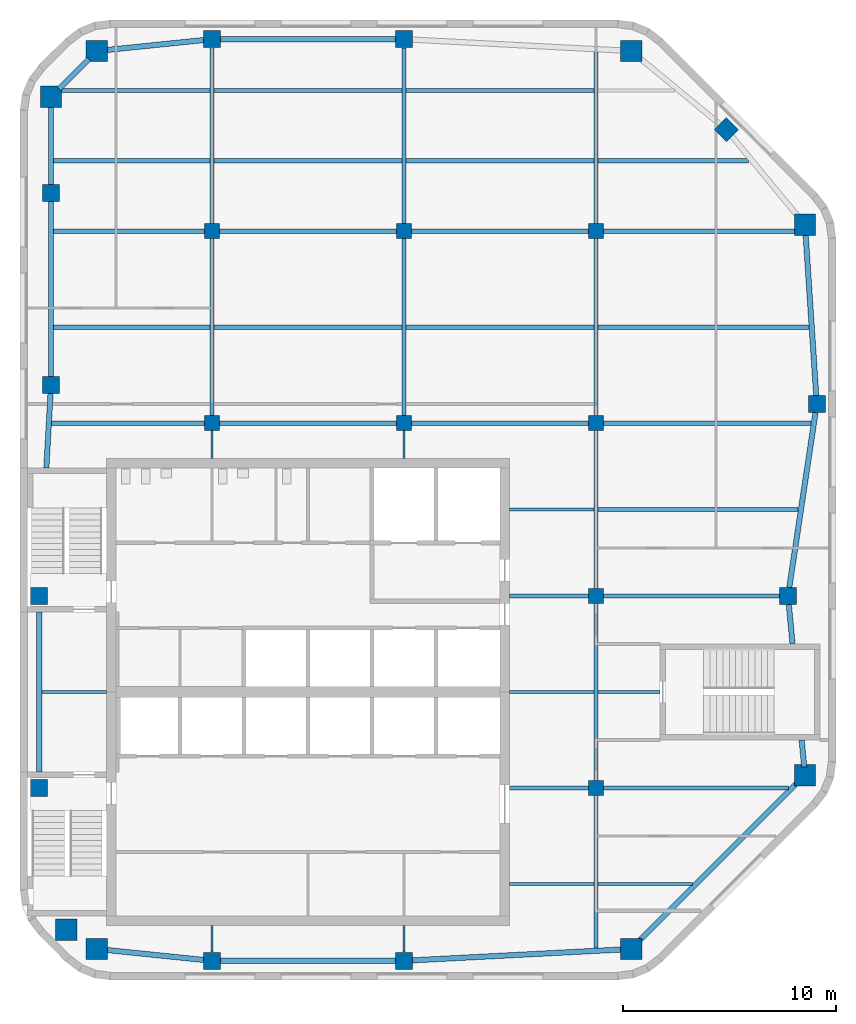
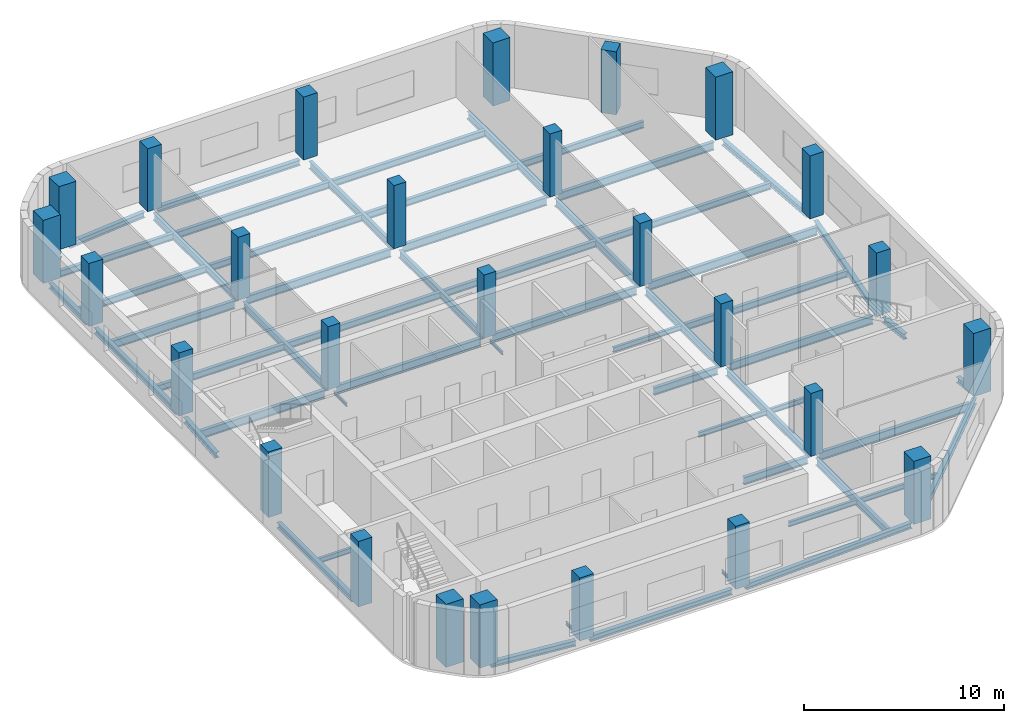
# One storey, part 1 of 7: 58 beams, 27 columns.
"""IFC4 building model written with IfcOpenShell, lengths in metres."""

from ifc_helpers import new_model, si_unit, direction, frame, origin, origin_2d, place, context, subcontext, project, spatial, rectangle, i_section, extrude, material, material_profile, profile_set, type_object, element, save


model = new_model("IFC4")

# Units and contexts
model_context = context("Model", 3, precision=1e-05, world=origin(), true_north=direction((0.0, 1.0)))
body_context = subcontext(model_context, "Body", "Model", "MODEL_VIEW")
ifc_project = project(units=[si_unit("LENGTHUNIT", "METRE"), si_unit("AREAUNIT", "SQUARE_METRE"), si_unit("VOLUMEUNIT", "CUBIC_METRE"), si_unit("PLANEANGLEUNIT", "RADIAN"), si_unit("MASSUNIT", "GRAM", prefix="KILO")], contexts=[model_context])

# Site, building, storey
site_placement = place(None, origin())
site = spatial("IfcSite", under=ifc_project, at=site_placement, CompositionType="ELEMENT")
building_placement = place(site_placement, origin())
building = spatial("IfcBuilding", under=site, at=building_placement, Name="Cinnabar Reach Civic Tower", CompositionType="ELEMENT")
storey_placement = place(building_placement, frame((0.0, 0.0, 271.0)))
storey = spatial("IfcBuildingStorey", under=building, at=storey_placement, Name="L65", CompositionType="ELEMENT", Elevation=271.0)

# Columns
ifc_material_1 = material(Name="Concrete C70", Category="concrete")
ifc_material_profile_1 = material_profile(ifc_material_1, rectangle(XDim=1.0, YDim=1.0, at=origin_2d()), Name="RC1000")
ifc_profile_set_1 = profile_set([ifc_material_profile_1], Name="Concrete C70")
column_type_1 = type_object("IfcColumnType", Name="RC1000 column R 240", PredefinedType="COLUMN", material=ifc_profile_set_1)
for number, where, z_axis, x_axis, name in (
    (1, (3.6019, 19.4531, 0.0), (0.0, 0.0, 1.0), (1.0, 0.0, 0.0), "Column T1-Z5-CC0"),
    (2, (28.6481, 19.4531, 0.0), (0.0, 0.0, 1.0), (1.0, 0.0, 0.0), "Column T1-Z5-CC1"),
    (3, (36.7969, 27.6019, 0.0), (0.0, 0.0, 1.0), (1.0, 0.0, 0.0), "Column T1-Z5-CC2"),
    (4, (36.7969, 53.3981, 0.0), (0.0, 0.0, 1.0), (1.0, 0.0, 0.0), "Column T1-Z5-CC3"),
    (5, (28.6481, 61.5469, 0.0), (0.0, 0.0, 1.0), (1.0, 0.0, 0.0), "Column T1-Z5-CC4"),
    (6, (3.6019, 61.5469, 0.0), (0.0, 0.0, 1.0), (1.0, 0.0, 0.0), "Column T1-Z5-CC5"),
    (7, (1.4531, 59.3981, 0.0), (0.0, 0.0, 1.0), (1.0, 0.0, 0.0), "Column T1-Z5-CC6"),
    (8, (2.1631, 20.35, 0.0), (0.0, 0.0, 1.0), (1.0, 0.0, 0.0), "Column T1-Z5-CC7"),
):
    element("IfcColumn", number, at=place(storey_placement, frame(where, z_axis=z_axis, x_axis=x_axis)), inside=storey, type_object=column_type_1, Name=name, PredefinedType="COLUMN", context=body_context, shape_type="SweptSolid", body=[
        extrude(rectangle(XDim=1.0, YDim=1.0, at=origin_2d()), origin(), (0.0, 0.0, 1.0), 3.85),
    ])
ifc_material_2 = material(Name="Concrete C60", Category="concrete")
ifc_material_profile_2 = material_profile(ifc_material_2, rectangle(XDim=0.7, YDim=0.7, at=origin_2d()), Name="RC700")
ifc_profile_set_2 = profile_set([ifc_material_profile_2], Name="Concrete C60")
column_type_2 = type_object("IfcColumnType", Name="RC700 column R 240", PredefinedType="COLUMN", material=ifc_profile_set_2)
for number, where, z_axis, x_axis, name in (
    (9, (9.0, 44.1, 0.0), (0.0, 0.0, 1.0), (1.0, 0.0, 0.0), "Column T1-Z5-I9_45"),
    (10, (9.0, 53.1, 0.0), (0.0, 0.0, 1.0), (1.0, 0.0, 0.0), "Column T1-Z5-I9_54"),
    (11, (18.0, 44.1, 0.0), (0.0, 0.0, 1.0), (1.0, 0.0, 0.0), "Column T1-Z5-I18_45"),
    (12, (18.0, 53.1, 0.0), (0.0, 0.0, 1.0), (1.0, 0.0, 0.0), "Column T1-Z5-I18_54"),
    (13, (27.0, 27.0, 0.0), (0.0, 0.0, 1.0), (1.0, 0.0, 0.0), "Column T1-Z5-I27_27"),
    (14, (27.0, 36.0, 0.0), (0.0, 0.0, 1.0), (1.0, 0.0, 0.0), "Column T1-Z5-I27_36"),
    (15, (27.0, 44.1, 0.0), (0.0, 0.0, 1.0), (1.0, 0.0, 0.0), "Column T1-Z5-I27_45"),
    (16, (27.0, 53.1, 0.0), (0.0, 0.0, 1.0), (1.0, 0.0, 0.0), "Column T1-Z5-I27_54"),
):
    element("IfcColumn", number, at=place(storey_placement, frame(where, z_axis=z_axis, x_axis=x_axis)), inside=storey, type_object=column_type_2, Name=name, PredefinedType="COLUMN", context=body_context, shape_type="SweptSolid", body=[
        extrude(rectangle(XDim=0.7, YDim=0.7, at=origin_2d()), origin(), (0.0, 0.0, 1.0), 3.85),
    ])
ifc_material_profile_3 = material_profile(ifc_material_2, rectangle(XDim=0.8, YDim=0.8, at=origin_2d()), Name="RC800")
ifc_profile_set_3 = profile_set([ifc_material_profile_3], Name="Concrete C60")
column_type_3 = type_object("IfcColumnType", Name="RC800 column R 240", PredefinedType="COLUMN", material=ifc_profile_set_3)
for number, where, z_axis, x_axis, name in (
    (17, (9.0, 18.9, 0.0), (0.0, 0.0, 1.0), (1.0, 0.0, 0.0), "Column T1-Z5-F0-1"),
    (18, (18.0, 18.9, 0.0), (0.0, 0.0, 1.0), (1.0, 0.0, 0.0), "Column T1-Z5-F0-2"),
    (19, (36.0, 36.0, 0.0), (0.0, 0.0, 1.0), (1.0, 0.0, 0.0), "Column T1-Z5-F2-4"),
    (20, (37.35, 45.0, 0.0), (0.0, 0.0, 1.0), (1.0, 0.0, 0.0), "Column T1-Z5-F2-5"),
    (21, (33.1136, 57.8636, 0.0), (0.0, 0.0, 1.0), (0.707106781187, 0.707106781187, 0.0), "Column T1-Z5-F3-M"),
    (22, (9.0, 62.1, 0.0), (0.0, 0.0, 1.0), (1.0, 0.0, 0.0), "Column T1-Z5-F4-1"),
    (23, (18.0, 62.1, 0.0), (0.0, 0.0, 1.0), (1.0, 0.0, 0.0), "Column T1-Z5-F4-2"),
):
    element("IfcColumn", number, at=place(storey_placement, frame(where, z_axis=z_axis, x_axis=x_axis)), inside=storey, type_object=column_type_3, Name=name, PredefinedType="COLUMN", context=body_context, shape_type="SweptSolid", body=[
        extrude(rectangle(XDim=0.8, YDim=0.8, at=origin_2d()), origin(), (0.0, 0.0, 1.0), 3.85),
    ])
for number, where, z_axis, x_axis, name in (
    (24, (0.9, 27.0, 0.0), (0.0, 0.0, 1.0), (1.0, 0.0, 0.0), "Column T1-Z5-F6-3"),
    (25, (0.9, 36.0, 0.0), (0.0, 0.0, 1.0), (1.0, 0.0, 0.0), "Column T1-Z5-F6-4"),
):
    element("IfcColumn", number, at=place(storey_placement, frame(where, z_axis=z_axis, x_axis=x_axis)), inside=storey, type_object=column_type_3, Name=name, PredefinedType="COLUMN", context=body_context, shape_type="SweptSolid", body=[
        extrude(rectangle(XDim=0.8, YDim=0.8, at=origin_2d()), origin(), (0.0, 0.0, 1.0), 4.0),
    ])
for number, where, z_axis, x_axis, name in (
    (26, (1.4531, 45.8981, 0.0), (0.0, 0.0, 1.0), (1.0, 0.0, 0.0), "Column T1-Z5-F6-5"),
    (27, (1.4531, 54.8981, 0.0), (0.0, 0.0, 1.0), (1.0, 0.0, 0.0), "Column T1-Z5-F6-6"),
):
    element("IfcColumn", number, at=place(storey_placement, frame(where, z_axis=z_axis, x_axis=x_axis)), inside=storey, type_object=column_type_3, Name=name, PredefinedType="COLUMN", context=body_context, shape_type="SweptSolid", body=[
        extrude(rectangle(XDim=0.8, YDim=0.8, at=origin_2d()), origin(), (0.0, 0.0, 1.0), 3.85),
    ])

# Beams
ifc_material_3 = material(Name="Steel Q355B", Category="steel")
ifc_material_profile_4 = material_profile(ifc_material_3, i_section(OverallWidth=0.25, OverallDepth=0.34, WebThickness=0.009, FlangeThickness=0.014, FilletRadius=0.013, at=origin_2d()), Name="HM340x250x9x14")
ifc_profile_set_4 = profile_set([ifc_material_profile_4], Name="Steel Q355B")
beam_type_1 = type_object("IfcBeamType", Name="HM340x250x9x14 beam R 180", PredefinedType="BEAM", material=ifc_profile_set_4)
beam_1_placement = place(storey_placement, frame((3.9839, 19.414, -0.32), z_axis=(0.994791084875, -0.101934770579, 0.0), x_axis=(0.101934770579, 0.994791084875, 0.0)))
element("IfcBeam", 28, at=beam_1_placement, inside=storey, type_object=beam_type_1, Name="Edge beam T1 L65 1", PredefinedType="BEAM", context=body_context, shape_type="SweptSolid", body=[
    extrude(i_section(OverallWidth=0.25, OverallDepth=0.34, WebThickness=0.009, FlangeThickness=0.014, FilletRadius=0.013, at=origin_2d()), origin(), (0.0, 0.0, 1.0), 4.6383),
])
beam_2_placement = place(storey_placement, frame((9.402, 18.9, -0.32), z_axis=(1.0, 0.0, 0.0), x_axis=(0.0, 1.0, 0.0)))
element("IfcBeam", 29, at=beam_2_placement, inside=storey, type_object=beam_type_1, Name="Edge beam T1 L65 2", PredefinedType="BEAM", context=body_context, shape_type="SweptSolid", body=[
    extrude(i_section(OverallWidth=0.25, OverallDepth=0.34, WebThickness=0.009, FlangeThickness=0.014, FilletRadius=0.013, at=origin_2d()), origin(), (0.0, 0.0, 1.0), 8.196),
])
beam_3_placement = place(storey_placement, frame((18.402, 18.9209, -0.32), z_axis=(0.998653533726, 0.051876001934, 0.0), x_axis=(-0.051876001934, 0.998653533726, 0.0)))
element("IfcBeam", 30, at=beam_3_placement, inside=storey, type_object=beam_type_1, Name="Edge beam T1 L65 3", PredefinedType="BEAM", context=body_context, shape_type="SweptSolid", body=[
    extrude(i_section(OverallWidth=0.25, OverallDepth=0.34, WebThickness=0.009, FlangeThickness=0.014, FilletRadius=0.013, at=origin_2d()), origin(), (0.0, 0.0, 1.0), 9.8774),
])
beam_4_placement = place(storey_placement, frame((29.0301, 19.8351, -0.32), z_axis=(0.707106781187, 0.707106781187, 0.0), x_axis=(-0.707106781187, 0.707106781187, 0.0)))
element("IfcBeam", 31, at=beam_4_placement, inside=storey, type_object=beam_type_1, Name="Edge beam T1 L65 4", PredefinedType="BEAM", context=body_context, shape_type="SweptSolid", body=[
    extrude(i_section(OverallWidth=0.25, OverallDepth=0.34, WebThickness=0.009, FlangeThickness=0.014, FilletRadius=0.013, at=origin_2d()), origin(), (0.0, 0.0, 1.0), 10.4437),
])
beam_5_placement = place(storey_placement, frame((36.7607, 27.9839, -0.32), z_axis=(-0.094504338241, 0.995524449752, 0.0), x_axis=(-0.995524449752, -0.094504338241, 0.0)))
element("IfcBeam", 32, at=beam_5_placement, inside=storey, type_object=beam_type_1, Name="Edge beam T1 L65 5", PredefinedType="BEAM", context=body_context, shape_type="SweptSolid", body=[
    extrude(i_section(OverallWidth=0.25, OverallDepth=0.34, WebThickness=0.009, FlangeThickness=0.014, FilletRadius=0.013, at=origin_2d()), origin(), (0.0, 0.0, 1.0), 1.2698),
])
beam_6_placement = place(storey_placement, frame((36.2133, 33.752, -0.32), z_axis=(-0.094483333102, 0.995526443529, 0.0), x_axis=(-0.995526443529, -0.094483333102, 0.0)))
element("IfcBeam", 33, at=beam_6_placement, inside=storey, type_object=beam_type_1, Name="Edge beam T1 L65 6", PredefinedType="BEAM", context=body_context, shape_type="SweptSolid", body=[
    extrude(i_section(OverallWidth=0.25, OverallDepth=0.34, WebThickness=0.009, FlangeThickness=0.014, FilletRadius=0.013, at=origin_2d()), origin(), (0.0, 0.0, 1.0), 1.8543),
])
beam_7_placement = place(storey_placement, frame((36.0603, 36.402, -0.32), z_axis=(0.14834045293, 0.988936352868, 0.0), x_axis=(-0.988936352868, 0.14834045293, 0.0)))
element("IfcBeam", 34, at=beam_7_placement, inside=storey, type_object=beam_type_1, Name="Edge beam T1 L65 7", PredefinedType="BEAM", context=body_context, shape_type="SweptSolid", body=[
    extrude(i_section(OverallWidth=0.25, OverallDepth=0.34, WebThickness=0.009, FlangeThickness=0.014, FilletRadius=0.013, at=origin_2d()), origin(), (0.0, 0.0, 1.0), 8.2877),
])
beam_8_placement = place(storey_placement, frame((37.3235, 45.402, -0.32), z_axis=(-0.065709195057, 0.997838815483, 0.0), x_axis=(-0.997838815483, -0.065709195057, 0.0)))
element("IfcBeam", 35, at=beam_8_placement, inside=storey, type_object=beam_type_1, Name="Edge beam T1 L65 8", PredefinedType="BEAM", context=body_context, shape_type="SweptSolid", body=[
    extrude(i_section(OverallWidth=0.25, OverallDepth=0.34, WebThickness=0.009, FlangeThickness=0.014, FilletRadius=0.013, at=origin_2d()), origin(), (0.0, 0.0, 1.0), 7.6306),
])
beam_9_placement = place(storey_placement, frame((17.598, 62.1, -0.32), z_axis=(-1.0, 0.0, 0.0), x_axis=(0.0, -1.0, 0.0)))
element("IfcBeam", 36, at=beam_9_placement, inside=storey, type_object=beam_type_1, Name="Edge beam T1 L65 12", PredefinedType="BEAM", context=body_context, shape_type="SweptSolid", body=[
    extrude(i_section(OverallWidth=0.25, OverallDepth=0.34, WebThickness=0.009, FlangeThickness=0.014, FilletRadius=0.013, at=origin_2d()), origin(), (0.0, 0.0, 1.0), 8.196),
])
beam_10_placement = place(storey_placement, frame((8.598, 62.0588, -0.32), z_axis=(-0.994791084875, -0.101934770579, 0.0), x_axis=(0.101934770579, -0.994791084875, 0.0)))
element("IfcBeam", 37, at=beam_10_placement, inside=storey, type_object=beam_type_1, Name="Edge beam T1 L65 13", PredefinedType="BEAM", context=body_context, shape_type="SweptSolid", body=[
    extrude(i_section(OverallWidth=0.25, OverallDepth=0.34, WebThickness=0.009, FlangeThickness=0.014, FilletRadius=0.013, at=origin_2d()), origin(), (0.0, 0.0, 1.0), 4.6383),
])
beam_11_placement = place(storey_placement, frame((3.2199, 61.1649, -0.32), z_axis=(-0.707106781187, -0.707106781187, 0.0), x_axis=(0.707106781187, -0.707106781187, 0.0)))
element("IfcBeam", 38, at=beam_11_placement, inside=storey, type_object=beam_type_1, Name="Edge beam T1 L65 14", PredefinedType="BEAM", context=body_context, shape_type="SweptSolid", body=[
    extrude(i_section(OverallWidth=0.25, OverallDepth=0.34, WebThickness=0.009, FlangeThickness=0.014, FilletRadius=0.013, at=origin_2d()), origin(), (0.0, 0.0, 1.0), 1.9584),
])
beam_12_placement = place(storey_placement, frame((1.4531, 59.0161, -0.32), z_axis=(0.0, -1.0, 0.0), x_axis=(1.0, 0.0, 0.0)))
element("IfcBeam", 39, at=beam_12_placement, inside=storey, type_object=beam_type_1, Name="Edge beam T1 L65 15", PredefinedType="BEAM", context=body_context, shape_type="SweptSolid", body=[
    extrude(i_section(OverallWidth=0.25, OverallDepth=0.34, WebThickness=0.009, FlangeThickness=0.014, FilletRadius=0.013, at=origin_2d()), origin(), (0.0, 0.0, 1.0), 3.716),
])
beam_13_placement = place(storey_placement, frame((1.4531, 54.4961, -0.32), z_axis=(0.0, -1.0, 0.0), x_axis=(1.0, 0.0, 0.0)))
element("IfcBeam", 40, at=beam_13_placement, inside=storey, type_object=beam_type_1, Name="Edge beam T1 L65 16", PredefinedType="BEAM", context=body_context, shape_type="SweptSolid", body=[
    extrude(i_section(OverallWidth=0.25, OverallDepth=0.34, WebThickness=0.009, FlangeThickness=0.014, FilletRadius=0.013, at=origin_2d()), origin(), (0.0, 0.0, 1.0), 8.196),
])
beam_14_placement = place(storey_placement, frame((1.4306, 45.4961, -0.32), z_axis=(-0.055778628236, -0.998443160441, 0.0), x_axis=(0.998443160441, -0.055778628236, 0.0)))
element("IfcBeam", 41, at=beam_14_placement, inside=storey, type_object=beam_type_1, Name="Edge beam T1 L65 17", PredefinedType="BEAM", context=body_context, shape_type="SweptSolid", body=[
    extrude(i_section(OverallWidth=0.25, OverallDepth=0.34, WebThickness=0.009, FlangeThickness=0.014, FilletRadius=0.013, at=origin_2d()), origin(), (0.0, 0.0, 1.0), 3.4995),
])
beam_15_placement = place(storey_placement, frame((0.9, 35.248, -0.32), z_axis=(0.0, -1.0, 0.0), x_axis=(1.0, 0.0, 0.0)))
element("IfcBeam", 42, at=beam_15_placement, inside=storey, type_object=beam_type_1, Name="Edge beam T1 L65 18", PredefinedType="BEAM", context=body_context, shape_type="SweptSolid", body=[
    extrude(i_section(OverallWidth=0.25, OverallDepth=0.34, WebThickness=0.009, FlangeThickness=0.014, FilletRadius=0.013, at=origin_2d()), origin(), (0.0, 0.0, 1.0), 7.496),
])
ifc_material_profile_5 = material_profile(ifc_material_3, i_section(OverallWidth=0.099, OverallDepth=0.198, WebThickness=0.0045, FlangeThickness=0.007, FilletRadius=0.013, at=origin_2d()), Name="HN200x100x5.5x8")
ifc_profile_set_5 = profile_set([ifc_material_profile_5], Name="Steel Q355B")
beam_type_2 = type_object("IfcBeamType", Name="HN200x100x5.5x8 beam R 180", PredefinedType="BEAM", material=ifc_profile_set_5)
beam_16_placement = place(storey_placement, frame((9.0, 19.302, -0.249), z_axis=(0.0, 1.0, 0.0), x_axis=(-1.0, 0.0, 0.0)))
element("IfcBeam", 43, at=beam_16_placement, inside=storey, type_object=beam_type_2, Name="Girder T1 L65 1", PredefinedType="BEAM", context=body_context, shape_type="SweptSolid", body=[
    extrude(i_section(OverallWidth=0.099, OverallDepth=0.198, WebThickness=0.0045, FlangeThickness=0.007, FilletRadius=0.013, at=origin_2d()), origin(), (0.0, 0.0, 1.0), 1.246),
])
beam_17_placement = place(storey_placement, frame((9.0, 42.452, -0.249), z_axis=(0.0, 1.0, 0.0), x_axis=(-1.0, 0.0, 0.0)))
element("IfcBeam", 44, at=beam_17_placement, inside=storey, type_object=beam_type_2, Name="Girder T1 L65 2", PredefinedType="BEAM", context=body_context, shape_type="SweptSolid", body=[
    extrude(i_section(OverallWidth=0.099, OverallDepth=0.198, WebThickness=0.0045, FlangeThickness=0.007, FilletRadius=0.013, at=origin_2d()), origin(), (0.0, 0.0, 1.0), 1.296),
])
beam_18_placement = place(storey_placement, frame((18.0, 19.302, -0.249), z_axis=(0.0, 1.0, 0.0), x_axis=(-1.0, 0.0, 0.0)))
element("IfcBeam", 45, at=beam_18_placement, inside=storey, type_object=beam_type_2, Name="Girder T1 L65 5", PredefinedType="BEAM", context=body_context, shape_type="SweptSolid", body=[
    extrude(i_section(OverallWidth=0.099, OverallDepth=0.198, WebThickness=0.0045, FlangeThickness=0.007, FilletRadius=0.013, at=origin_2d()), origin(), (0.0, 0.0, 1.0), 1.246),
])
beam_19_placement = place(storey_placement, frame((18.0, 42.452, -0.249), z_axis=(0.0, 1.0, 0.0), x_axis=(-1.0, 0.0, 0.0)))
element("IfcBeam", 46, at=beam_19_placement, inside=storey, type_object=beam_type_2, Name="Girder T1 L65 6", PredefinedType="BEAM", context=body_context, shape_type="SweptSolid", body=[
    extrude(i_section(OverallWidth=0.099, OverallDepth=0.198, WebThickness=0.0045, FlangeThickness=0.007, FilletRadius=0.013, at=origin_2d()), origin(), (0.0, 0.0, 1.0), 1.296),
])
ifc_material_profile_6 = material_profile(ifc_material_3, i_section(OverallWidth=0.15, OverallDepth=0.3, WebThickness=0.0065, FlangeThickness=0.009, FilletRadius=0.013, at=origin_2d()), Name="HN300x150x6.5x9")
ifc_profile_set_6 = profile_set([ifc_material_profile_6], Name="Steel Q355B")
beam_type_3 = type_object("IfcBeamType", Name="HN300x150x6.5x9 beam R 180", PredefinedType="BEAM", material=ifc_profile_set_6)
beam_20_placement = place(storey_placement, frame((22.952, 22.5, -0.3), z_axis=(1.0, 0.0, 0.0), x_axis=(0.0, 1.0, 0.0)))
element("IfcBeam", 47, at=beam_20_placement, inside=storey, type_object=beam_type_3, Name="Secondary beam T1 L65 1", PredefinedType="BEAM", context=body_context, shape_type="SweptSolid", body=[
    extrude(i_section(OverallWidth=0.15, OverallDepth=0.3, WebThickness=0.0065, FlangeThickness=0.009, FilletRadius=0.013, at=origin_2d()), origin(), (0.0, 0.0, 1.0), 3.946),
])
beam_21_placement = place(storey_placement, frame((27.102, 22.5, -0.3), z_axis=(1.0, 0.0, 0.0), x_axis=(0.0, 1.0, 0.0)))
element("IfcBeam", 48, at=beam_21_placement, inside=storey, type_object=beam_type_3, Name="Secondary beam T1 L65 2", PredefinedType="BEAM", context=body_context, shape_type="SweptSolid", body=[
    extrude(i_section(OverallWidth=0.15, OverallDepth=0.3, WebThickness=0.0065, FlangeThickness=0.009, FilletRadius=0.013, at=origin_2d()), origin(), (0.0, 0.0, 1.0), 4.4134),
])
beam_22_placement = place(storey_placement, frame((1.027, 31.5, -0.3), z_axis=(1.0, 0.0, 0.0), x_axis=(0.0, 1.0, 0.0)))
element("IfcBeam", 49, at=beam_22_placement, inside=storey, type_object=beam_type_3, Name="Secondary beam T1 L65 3", PredefinedType="BEAM", context=body_context, shape_type="SweptSolid", body=[
    extrude(i_section(OverallWidth=0.15, OverallDepth=0.3, WebThickness=0.0065, FlangeThickness=0.009, FilletRadius=0.013, at=origin_2d()), origin(), (0.0, 0.0, 1.0), 3.021),
])
beam_23_placement = place(storey_placement, frame((22.952, 31.5, -0.3), z_axis=(1.0, 0.0, 0.0), x_axis=(0.0, 1.0, 0.0)))
element("IfcBeam", 50, at=beam_23_placement, inside=storey, type_object=beam_type_3, Name="Secondary beam T1 L65 4", PredefinedType="BEAM", context=body_context, shape_type="SweptSolid", body=[
    extrude(i_section(OverallWidth=0.15, OverallDepth=0.3, WebThickness=0.0065, FlangeThickness=0.009, FilletRadius=0.013, at=origin_2d()), origin(), (0.0, 0.0, 1.0), 3.946),
])
beam_24_placement = place(storey_placement, frame((27.102, 31.5, -0.3), z_axis=(1.0, 0.0, 0.0), x_axis=(0.0, 1.0, 0.0)))
element("IfcBeam", 51, at=beam_24_placement, inside=storey, type_object=beam_type_3, Name="Secondary beam T1 L65 5", PredefinedType="BEAM", context=body_context, shape_type="SweptSolid", body=[
    extrude(i_section(OverallWidth=0.15, OverallDepth=0.3, WebThickness=0.0065, FlangeThickness=0.009, FilletRadius=0.013, at=origin_2d()), origin(), (0.0, 0.0, 1.0), 2.896),
])
beam_25_placement = place(storey_placement, frame((22.952, 40.05, -0.3), z_axis=(1.0, 0.0, 0.0), x_axis=(0.0, 1.0, 0.0)))
element("IfcBeam", 52, at=beam_25_placement, inside=storey, type_object=beam_type_3, Name="Secondary beam T1 L65 6", PredefinedType="BEAM", context=body_context, shape_type="SweptSolid", body=[
    extrude(i_section(OverallWidth=0.15, OverallDepth=0.3, WebThickness=0.0065, FlangeThickness=0.009, FilletRadius=0.013, at=origin_2d()), origin(), (0.0, 0.0, 1.0), 3.946),
])
ifc_material_profile_7 = material_profile(ifc_material_3, i_section(OverallWidth=0.2, OverallDepth=0.4, WebThickness=0.008, FlangeThickness=0.013, FilletRadius=0.016, at=origin_2d()), Name="HN400x200x8x13")
ifc_profile_set_7 = profile_set([ifc_material_profile_7], Name="Steel Q355B")
beam_type_4 = type_object("IfcBeamType", Name="HN400x200x8x13 beam R 180", PredefinedType="BEAM", material=ifc_profile_set_7)
beam_26_placement = place(storey_placement, frame((27.102, 40.05, -0.35), z_axis=(1.0, 0.0, 0.0), x_axis=(0.0, 1.0, 0.0)))
element("IfcBeam", 53, at=beam_26_placement, inside=storey, type_object=beam_type_4, Name="Secondary beam T1 L65 7", PredefinedType="BEAM", context=body_context, shape_type="SweptSolid", body=[
    extrude(i_section(OverallWidth=0.2, OverallDepth=0.4, WebThickness=0.008, FlangeThickness=0.013, FilletRadius=0.016, at=origin_2d()), origin(), (0.0, 0.0, 1.0), 9.3771),
])
beam_27_placement = place(storey_placement, frame((1.5801, 48.6, -0.35), z_axis=(1.0, 0.0, 0.0), x_axis=(0.0, 1.0, 0.0)))
element("IfcBeam", 54, at=beam_27_placement, inside=storey, type_object=beam_type_4, Name="Secondary beam T1 L65 8", PredefinedType="BEAM", context=body_context, shape_type="SweptSolid", body=[
    extrude(i_section(OverallWidth=0.2, OverallDepth=0.4, WebThickness=0.008, FlangeThickness=0.013, FilletRadius=0.016, at=origin_2d()), origin(), (0.0, 0.0, 1.0), 7.3179),
])
for number, where, z_axis, x_axis, name in (
    (55, (9.102, 48.6, -0.35), (1.0, 0.0, 0.0), (0.0, 1.0, 0.0), "Secondary beam T1 L65 9"),
    (56, (18.102, 48.6, -0.35), (1.0, 0.0, 0.0), (0.0, 1.0, 0.0), "Secondary beam T1 L65 10"),
):
    element("IfcBeam", number, at=place(storey_placement, frame(where, z_axis=z_axis, x_axis=x_axis)), inside=storey, type_object=beam_type_4, Name=name, PredefinedType="BEAM", context=body_context, shape_type="SweptSolid", body=[
        extrude(i_section(OverallWidth=0.2, OverallDepth=0.4, WebThickness=0.008, FlangeThickness=0.013, FilletRadius=0.016, at=origin_2d()), origin(), (0.0, 0.0, 1.0), 8.796),
    ])
beam_28_placement = place(storey_placement, frame((27.102, 48.6, -0.35), z_axis=(1.0, 0.0, 0.0), x_axis=(0.0, 1.0, 0.0)))
element("IfcBeam", 57, at=beam_28_placement, inside=storey, type_object=beam_type_4, Name="Secondary beam T1 L65 11", PredefinedType="BEAM", context=body_context, shape_type="SweptSolid", body=[
    extrude(i_section(OverallWidth=0.2, OverallDepth=0.4, WebThickness=0.008, FlangeThickness=0.013, FilletRadius=0.016, at=origin_2d()), origin(), (0.0, 0.0, 1.0), 9.8836),
])
beam_29_placement = place(storey_placement, frame((1.5801, 56.4, -0.35), z_axis=(1.0, 0.0, 0.0), x_axis=(0.0, 1.0, 0.0)))
element("IfcBeam", 58, at=beam_29_placement, inside=storey, type_object=beam_type_4, Name="Secondary beam T1 L65 12", PredefinedType="BEAM", context=body_context, shape_type="SweptSolid", body=[
    extrude(i_section(OverallWidth=0.2, OverallDepth=0.4, WebThickness=0.008, FlangeThickness=0.013, FilletRadius=0.016, at=origin_2d()), origin(), (0.0, 0.0, 1.0), 7.3179),
])
for number, where, z_axis, x_axis, name in (
    (59, (9.102, 56.4, -0.35), (1.0, 0.0, 0.0), (0.0, 1.0, 0.0), "Secondary beam T1 L65 13"),
    (60, (18.102, 56.4, -0.35), (1.0, 0.0, 0.0), (0.0, 1.0, 0.0), "Secondary beam T1 L65 14"),
):
    element("IfcBeam", number, at=place(storey_placement, frame(where, z_axis=z_axis, x_axis=x_axis)), inside=storey, type_object=beam_type_4, Name=name, PredefinedType="BEAM", context=body_context, shape_type="SweptSolid", body=[
        extrude(i_section(OverallWidth=0.2, OverallDepth=0.4, WebThickness=0.008, FlangeThickness=0.013, FilletRadius=0.016, at=origin_2d()), origin(), (0.0, 0.0, 1.0), 8.796),
    ])
beam_30_placement = place(storey_placement, frame((27.102, 56.4, -0.35), z_axis=(1.0, 0.0, 0.0), x_axis=(0.0, 1.0, 0.0)))
element("IfcBeam", 61, at=beam_30_placement, inside=storey, type_object=beam_type_4, Name="Secondary beam T1 L65 15", PredefinedType="BEAM", context=body_context, shape_type="SweptSolid", body=[
    extrude(i_section(OverallWidth=0.2, OverallDepth=0.4, WebThickness=0.008, FlangeThickness=0.013, FilletRadius=0.016, at=origin_2d()), origin(), (0.0, 0.0, 1.0), 7.0542),
])
beam_31_placement = place(storey_placement, frame((1.9551, 59.7, -0.35), z_axis=(1.0, 0.0, 0.0), x_axis=(0.0, 1.0, 0.0)))
element("IfcBeam", 62, at=beam_31_placement, inside=storey, type_object=beam_type_4, Name="Secondary beam T1 L65 16", PredefinedType="BEAM", context=body_context, shape_type="SweptSolid", body=[
    extrude(i_section(OverallWidth=0.2, OverallDepth=0.4, WebThickness=0.008, FlangeThickness=0.013, FilletRadius=0.016, at=origin_2d()), origin(), (0.0, 0.0, 1.0), 6.9429),
])
for number, where, z_axis, x_axis, name in (
    (63, (9.102, 59.7, -0.35), (1.0, 0.0, 0.0), (0.0, 1.0, 0.0), "Secondary beam T1 L65 17"),
    (64, (18.102, 59.7, -0.35), (1.0, 0.0, 0.0), (0.0, 1.0, 0.0), "Secondary beam T1 L65 18"),
):
    element("IfcBeam", number, at=place(storey_placement, frame(where, z_axis=z_axis, x_axis=x_axis)), inside=storey, type_object=beam_type_4, Name=name, PredefinedType="BEAM", context=body_context, shape_type="SweptSolid", body=[
        extrude(i_section(OverallWidth=0.2, OverallDepth=0.4, WebThickness=0.008, FlangeThickness=0.013, FilletRadius=0.016, at=origin_2d()), origin(), (0.0, 0.0, 1.0), 8.796),
    ])
ifc_material_profile_8 = material_profile(ifc_material_3, i_section(OverallWidth=0.2, OverallDepth=0.45, WebThickness=0.009, FlangeThickness=0.014, FilletRadius=0.016, at=origin_2d()), Name="HN450x200x9x14")
ifc_profile_set_8 = profile_set([ifc_material_profile_8], Name="Steel Q355B")
beam_type_5 = type_object("IfcBeamType", Name="HN450x200x9x14 beam R 180", PredefinedType="BEAM", material=ifc_profile_set_8)
for number, where, z_axis, x_axis, name in (
    (65, (22.952, 27.0, -0.375), (1.0, 0.0, 0.0), (0.0, 1.0, 0.0), "Girder T1 L65 1"),
    (66, (22.952, 36.0, -0.375), (1.0, 0.0, 0.0), (0.0, 1.0, 0.0), "Girder T1 L65 3"),
):
    element("IfcBeam", number, at=place(storey_placement, frame(where, z_axis=z_axis, x_axis=x_axis)), inside=storey, type_object=beam_type_5, Name=name, PredefinedType="BEAM", context=body_context, shape_type="SweptSolid", body=[
        extrude(i_section(OverallWidth=0.2, OverallDepth=0.45, WebThickness=0.009, FlangeThickness=0.014, FilletRadius=0.016, at=origin_2d()), origin(), (0.0, 0.0, 1.0), 3.696),
    ])
beam_32_placement = place(storey_placement, frame((9.0, 44.452, -0.375), z_axis=(0.0, 1.0, 0.0), x_axis=(-1.0, 0.0, 0.0)))
element("IfcBeam", 67, at=beam_32_placement, inside=storey, type_object=beam_type_5, Name="Girder T1 L65 3", PredefinedType="BEAM", context=body_context, shape_type="SweptSolid", body=[
    extrude(i_section(OverallWidth=0.2, OverallDepth=0.45, WebThickness=0.009, FlangeThickness=0.014, FilletRadius=0.016, at=origin_2d()), origin(), (0.0, 0.0, 1.0), 8.296),
])
beam_33_placement = place(storey_placement, frame((9.0, 53.452, -0.375), z_axis=(0.0, 1.0, 0.0), x_axis=(-1.0, 0.0, 0.0)))
element("IfcBeam", 68, at=beam_33_placement, inside=storey, type_object=beam_type_5, Name="Girder T1 L65 4", PredefinedType="BEAM", context=body_context, shape_type="SweptSolid", body=[
    extrude(i_section(OverallWidth=0.2, OverallDepth=0.45, WebThickness=0.009, FlangeThickness=0.014, FilletRadius=0.016, at=origin_2d()), origin(), (0.0, 0.0, 1.0), 8.246),
])
beam_34_placement = place(storey_placement, frame((18.0, 44.452, -0.375), z_axis=(0.0, 1.0, 0.0), x_axis=(-1.0, 0.0, 0.0)))
element("IfcBeam", 69, at=beam_34_placement, inside=storey, type_object=beam_type_5, Name="Girder T1 L65 7", PredefinedType="BEAM", context=body_context, shape_type="SweptSolid", body=[
    extrude(i_section(OverallWidth=0.2, OverallDepth=0.45, WebThickness=0.009, FlangeThickness=0.014, FilletRadius=0.016, at=origin_2d()), origin(), (0.0, 0.0, 1.0), 8.296),
])
beam_35_placement = place(storey_placement, frame((18.0, 53.452, -0.375), z_axis=(0.0, 1.0, 0.0), x_axis=(-1.0, 0.0, 0.0)))
element("IfcBeam", 70, at=beam_35_placement, inside=storey, type_object=beam_type_5, Name="Girder T1 L65 8", PredefinedType="BEAM", context=body_context, shape_type="SweptSolid", body=[
    extrude(i_section(OverallWidth=0.2, OverallDepth=0.45, WebThickness=0.009, FlangeThickness=0.014, FilletRadius=0.016, at=origin_2d()), origin(), (0.0, 0.0, 1.0), 8.246),
])
beam_36_placement = place(storey_placement, frame((27.0, 19.4947, -0.375), z_axis=(0.0, 1.0, 0.0), x_axis=(-1.0, 0.0, 0.0)))
element("IfcBeam", 71, at=beam_36_placement, inside=storey, type_object=beam_type_5, Name="Girder T1 L65 9", PredefinedType="BEAM", context=body_context, shape_type="SweptSolid", body=[
    extrude(i_section(OverallWidth=0.2, OverallDepth=0.45, WebThickness=0.009, FlangeThickness=0.014, FilletRadius=0.016, at=origin_2d()), origin(), (0.0, 0.0, 1.0), 7.1533),
])
beam_37_placement = place(storey_placement, frame((27.0, 27.352, -0.375), z_axis=(0.0, 1.0, 0.0), x_axis=(-1.0, 0.0, 0.0)))
element("IfcBeam", 72, at=beam_37_placement, inside=storey, type_object=beam_type_5, Name="Girder T1 L65 10", PredefinedType="BEAM", context=body_context, shape_type="SweptSolid", body=[
    extrude(i_section(OverallWidth=0.2, OverallDepth=0.45, WebThickness=0.009, FlangeThickness=0.014, FilletRadius=0.016, at=origin_2d()), origin(), (0.0, 0.0, 1.0), 8.296),
])
beam_38_placement = place(storey_placement, frame((27.0, 36.352, -0.375), z_axis=(0.0, 1.0, 0.0), x_axis=(-1.0, 0.0, 0.0)))
element("IfcBeam", 73, at=beam_38_placement, inside=storey, type_object=beam_type_5, Name="Girder T1 L65 11", PredefinedType="BEAM", context=body_context, shape_type="SweptSolid", body=[
    extrude(i_section(OverallWidth=0.2, OverallDepth=0.45, WebThickness=0.009, FlangeThickness=0.014, FilletRadius=0.016, at=origin_2d()), origin(), (0.0, 0.0, 1.0), 7.396),
])
beam_39_placement = place(storey_placement, frame((27.0, 44.452, -0.375), z_axis=(0.0, 1.0, 0.0), x_axis=(-1.0, 0.0, 0.0)))
element("IfcBeam", 74, at=beam_39_placement, inside=storey, type_object=beam_type_5, Name="Girder T1 L65 12", PredefinedType="BEAM", context=body_context, shape_type="SweptSolid", body=[
    extrude(i_section(OverallWidth=0.2, OverallDepth=0.45, WebThickness=0.009, FlangeThickness=0.014, FilletRadius=0.016, at=origin_2d()), origin(), (0.0, 0.0, 1.0), 8.296),
])
beam_40_placement = place(storey_placement, frame((27.0, 53.452, -0.375), z_axis=(0.0, 1.0, 0.0), x_axis=(-1.0, 0.0, 0.0)))
element("IfcBeam", 75, at=beam_40_placement, inside=storey, type_object=beam_type_5, Name="Girder T1 L65 13", PredefinedType="BEAM", context=body_context, shape_type="SweptSolid", body=[
    extrude(i_section(OverallWidth=0.2, OverallDepth=0.45, WebThickness=0.009, FlangeThickness=0.014, FilletRadius=0.016, at=origin_2d()), origin(), (0.0, 0.0, 1.0), 8.0533),
])
ifc_material_profile_9 = material_profile(ifc_material_3, i_section(OverallWidth=0.2, OverallDepth=0.5, WebThickness=0.01, FlangeThickness=0.016, FilletRadius=0.016, at=origin_2d()), Name="HN500x200x10x16")
ifc_profile_set_9 = profile_set([ifc_material_profile_9], Name="Steel Q355B")
beam_type_6 = type_object("IfcBeamType", Name="HN500x200x10x16 beam R 180", PredefinedType="BEAM", material=ifc_profile_set_9)
beam_41_placement = place(storey_placement, frame((27.352, 27.0, -0.4), z_axis=(1.0, 0.0, 0.0), x_axis=(0.0, 1.0, 0.0)))
element("IfcBeam", 76, at=beam_41_placement, inside=storey, type_object=beam_type_6, Name="Girder T1 L65 2", PredefinedType="BEAM", context=body_context, shape_type="SweptSolid", body=[
    extrude(i_section(OverallWidth=0.2, OverallDepth=0.5, WebThickness=0.01, FlangeThickness=0.016, FilletRadius=0.016, at=origin_2d()), origin(), (0.0, 0.0, 1.0), 8.6634),
])
beam_42_placement = place(storey_placement, frame((27.352, 36.0, -0.4), z_axis=(1.0, 0.0, 0.0), x_axis=(0.0, 1.0, 0.0)))
element("IfcBeam", 77, at=beam_42_placement, inside=storey, type_object=beam_type_6, Name="Girder T1 L65 4", PredefinedType="BEAM", context=body_context, shape_type="SweptSolid", body=[
    extrude(i_section(OverallWidth=0.2, OverallDepth=0.5, WebThickness=0.01, FlangeThickness=0.016, FilletRadius=0.016, at=origin_2d()), origin(), (0.0, 0.0, 1.0), 8.246),
])
beam_43_placement = place(storey_placement, frame((1.4798, 44.1, -0.4), z_axis=(1.0, 0.0, 0.0), x_axis=(0.0, 1.0, 0.0)))
element("IfcBeam", 78, at=beam_43_placement, inside=storey, type_object=beam_type_6, Name="Girder T1 L65 5", PredefinedType="BEAM", context=body_context, shape_type="SweptSolid", body=[
    extrude(i_section(OverallWidth=0.2, OverallDepth=0.5, WebThickness=0.01, FlangeThickness=0.016, FilletRadius=0.016, at=origin_2d()), origin(), (0.0, 0.0, 1.0), 7.1682),
])
for number, where, z_axis, x_axis, name in (
    (79, (9.352, 44.1, -0.4), (1.0, 0.0, 0.0), (0.0, 1.0, 0.0), "Girder T1 L65 6"),
    (80, (18.352, 44.1, -0.4), (1.0, 0.0, 0.0), (0.0, 1.0, 0.0), "Girder T1 L65 7"),
):
    element("IfcBeam", number, at=place(storey_placement, frame(where, z_axis=z_axis, x_axis=x_axis)), inside=storey, type_object=beam_type_6, Name=name, PredefinedType="BEAM", context=body_context, shape_type="SweptSolid", body=[
        extrude(i_section(OverallWidth=0.2, OverallDepth=0.5, WebThickness=0.01, FlangeThickness=0.016, FilletRadius=0.016, at=origin_2d()), origin(), (0.0, 0.0, 1.0), 8.296),
    ])
beam_44_placement = place(storey_placement, frame((27.352, 44.1, -0.4), z_axis=(1.0, 0.0, 0.0), x_axis=(0.0, 1.0, 0.0)))
element("IfcBeam", 81, at=beam_44_placement, inside=storey, type_object=beam_type_6, Name="Girder T1 L65 8", PredefinedType="BEAM", context=body_context, shape_type="SweptSolid", body=[
    extrude(i_section(OverallWidth=0.2, OverallDepth=0.5, WebThickness=0.01, FlangeThickness=0.016, FilletRadius=0.016, at=origin_2d()), origin(), (0.0, 0.0, 1.0), 9.7346),
])
beam_45_placement = place(storey_placement, frame((1.5801, 53.1, -0.4), z_axis=(1.0, 0.0, 0.0), x_axis=(0.0, 1.0, 0.0)))
element("IfcBeam", 82, at=beam_45_placement, inside=storey, type_object=beam_type_6, Name="Girder T1 L65 9", PredefinedType="BEAM", context=body_context, shape_type="SweptSolid", body=[
    extrude(i_section(OverallWidth=0.2, OverallDepth=0.5, WebThickness=0.01, FlangeThickness=0.016, FilletRadius=0.016, at=origin_2d()), origin(), (0.0, 0.0, 1.0), 7.0679),
])
for number, where, z_axis, x_axis, name in (
    (83, (9.352, 53.1, -0.4), (1.0, 0.0, 0.0), (0.0, 1.0, 0.0), "Girder T1 L65 10"),
    (84, (18.352, 53.1, -0.4), (1.0, 0.0, 0.0), (0.0, 1.0, 0.0), "Girder T1 L65 11"),
):
    element("IfcBeam", number, at=place(storey_placement, frame(where, z_axis=z_axis, x_axis=x_axis)), inside=storey, type_object=beam_type_6, Name=name, PredefinedType="BEAM", context=body_context, shape_type="SweptSolid", body=[
        extrude(i_section(OverallWidth=0.2, OverallDepth=0.5, WebThickness=0.01, FlangeThickness=0.016, FilletRadius=0.016, at=origin_2d()), origin(), (0.0, 0.0, 1.0), 8.296),
    ])
beam_46_placement = place(storey_placement, frame((27.352, 53.1, -0.4), z_axis=(1.0, 0.0, 0.0), x_axis=(0.0, 1.0, 0.0)))
element("IfcBeam", 85, at=beam_46_placement, inside=storey, type_object=beam_type_6, Name="Girder T1 L65 12", PredefinedType="BEAM", context=body_context, shape_type="SweptSolid", body=[
    extrude(i_section(OverallWidth=0.2, OverallDepth=0.5, WebThickness=0.01, FlangeThickness=0.016, FilletRadius=0.016, at=origin_2d()), origin(), (0.0, 0.0, 1.0), 8.9429),
])

save(model, "model.ifc")
